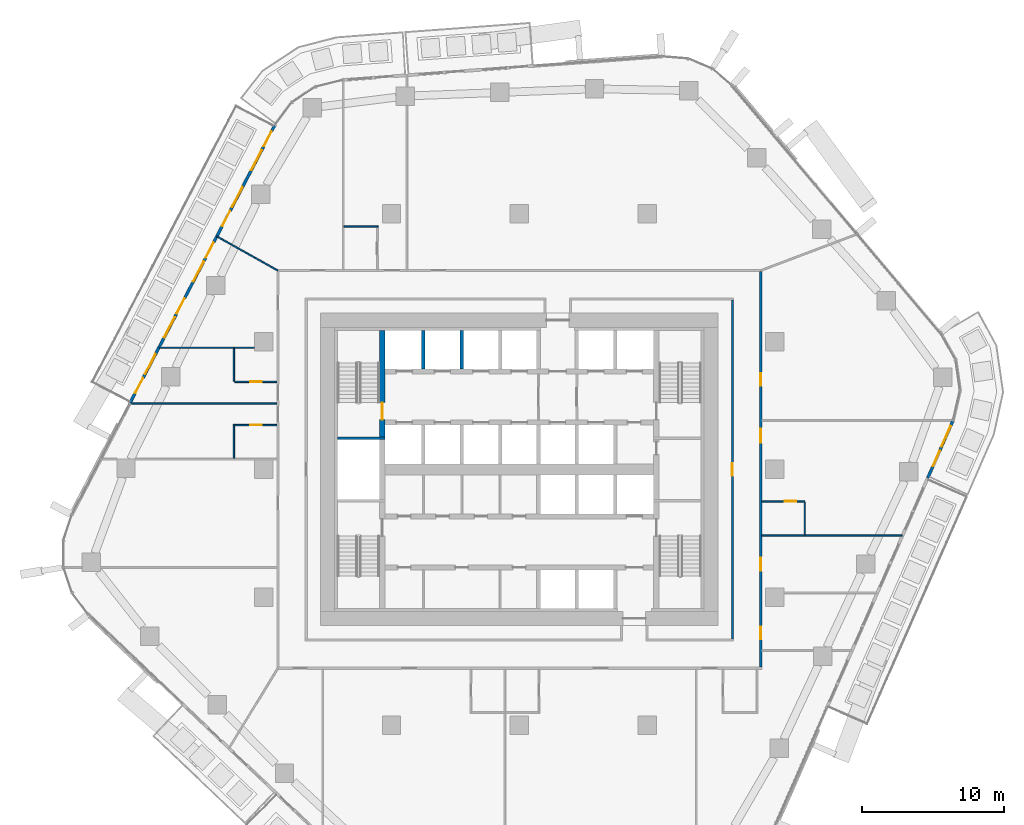
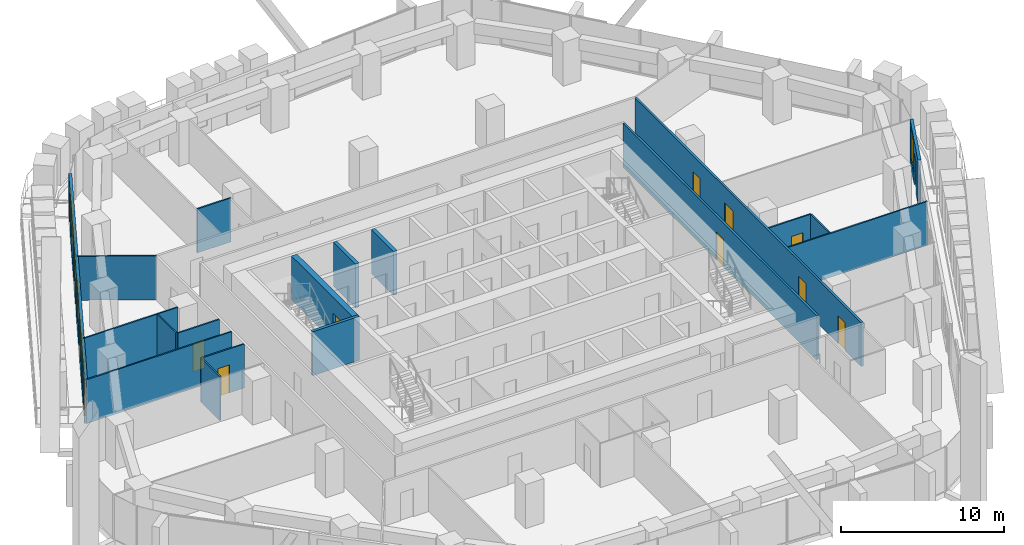
# One storey, part 14 of 24: 19 walls, 15 doors, 6 windows, 21 openings.
"""IFC4 building model written with IfcOpenShell, lengths in metres."""

from ifc_helpers import new_model, si_unit, direction, frame, frame_2d, origin, place, context, subcontext, project, spatial, rectangle, extrude, material, layer, layer_set, type_object, element, fill, save


model = new_model("IFC4")

# Units and contexts
model_context = context("Model", 3, precision=1e-05, world=origin(), true_north=direction((0.0, 1.0)))
body_context = subcontext(model_context, "Body", "Model", "MODEL_VIEW")
ifc_project = project(units=[si_unit("LENGTHUNIT", "METRE"), si_unit("AREAUNIT", "SQUARE_METRE"), si_unit("VOLUMEUNIT", "CUBIC_METRE"), si_unit("PLANEANGLEUNIT", "RADIAN"), si_unit("MASSUNIT", "GRAM", prefix="KILO")], contexts=[model_context])

# Site, building, storey
site_placement = place(None, origin())
site = spatial("IfcSite", under=ifc_project, at=site_placement, CompositionType="ELEMENT")
building_placement = place(site_placement, origin())
building = spatial("IfcBuilding", under=site, at=building_placement, Name="Dongbaek Canopy Tower", CompositionType="ELEMENT")
storey_placement = place(building_placement, frame((0.0, 0.0, 128.5)))
storey = spatial("IfcBuildingStorey", under=building, at=storey_placement, Name="L28", CompositionType="ELEMENT", Elevation=128.5)

# Wall, openings, doors
ifc_material_1 = material(Name="Gypsum board partition, steel stud, 2 x 15 mm fire board", Category="steel")
ifc_layer_1 = layer(ifc_material_1, 0.14990234375)
ifc_layer_set_1 = layer_set([ifc_layer_1], Name="Fire-rated partition 150 gypsum board")
wall_type_1 = type_object("IfcWallType", Name="Fire-rated partition 150 gypsum board", PredefinedType="PARTITIONING", material=ifc_layer_set_1)
wall_1_placement = place(storey_placement, frame((17.0, 13.925048828125, 0.0), z_axis=(0.0, 0.0, 1.0), x_axis=(0.0, -1.0, 0.0)))
wall_1 = element("IfcWall", 1, at=wall_1_placement, inside=storey, type_object=wall_type_1, Name="Corridor partition", PredefinedType="PARTITIONING", context=body_context, shape_type="SweptSolid", body=[
    extrude(rectangle(XDim=27.85009765625, YDim=0.14990234375, at=frame_2d((13.925048828125, 0.0))), origin(), (0.0, 0.0, 1.0), 3.300048828125),
])
opening_1_placement = place(wall_1_placement, frame((24.983154296875, 0.0, 0.0)))
opening_1 = element("IfcOpeningElement", 2, at=opening_1_placement, cuts=wall_1, Name="Opening L28-D009", PredefinedType="OPENING", context=body_context, shape_type="SweptSolid", body=[
    extrude(rectangle(XDim=0.89990234375, YDim=2.10009765625, at=frame_2d((0.449951171875, 1.050048828125))), frame((0.0, 0.0849609375, 0.0), z_axis=(0.0, -1.0, 0.0), x_axis=(1.0, 0.0, 0.0)), (0.0, 0.0, 1.0), 0.169921875),
])
opening_2_placement = place(wall_1_placement, frame((20.143310546875, 0.0, 0.0)))
opening_2 = element("IfcOpeningElement", 3, at=opening_2_placement, cuts=wall_1, Name="Opening L28-D010", PredefinedType="OPENING", context=body_context, shape_type="SweptSolid", body=[
    extrude(rectangle(XDim=0.89990234375, YDim=2.10009765625, at=frame_2d((0.449951171875, 1.050048828125))), frame((0.0, 0.0849609375, 0.0), z_axis=(0.0, -1.0, 0.0), x_axis=(1.0, 0.0, 0.0)), (0.0, 0.0, 1.0), 0.169921875),
])
opening_3_placement = place(wall_1_placement, frame((11.0537109375, 0.0, 0.0)))
opening_3 = element("IfcOpeningElement", 4, at=opening_3_placement, cuts=wall_1, Name="Opening L28-D012", PredefinedType="OPENING", context=body_context, shape_type="SweptSolid", body=[
    extrude(rectangle(XDim=1.0, YDim=2.10009765625, at=frame_2d((0.5, 1.050048828125))), frame((0.0, 0.0849609375, 0.0), z_axis=(0.0, -1.0, 0.0), x_axis=(1.0, 0.0, 0.0)), (0.0, 0.0, 1.0), 0.169921875),
])
opening_4_placement = place(wall_1_placement, frame((7.138671875, 0.0, 0.0)))
opening_4 = element("IfcOpeningElement", 5, at=opening_4_placement, cuts=wall_1, Name="Opening L28-D013", PredefinedType="OPENING", context=body_context, shape_type="SweptSolid", body=[
    extrude(rectangle(XDim=0.89990234375, YDim=2.10009765625, at=frame_2d((0.449951171875, 1.050048828125))), frame((0.0, 0.0849609375, 0.0), z_axis=(0.0, -1.0, 0.0), x_axis=(1.0, 0.0, 0.0)), (0.0, 0.0, 1.0), 0.169921875),
])
ifc_material_2 = material(Name="Timber veneered door leaf", Category="wood")
door_type_1 = type_object("IfcDoorType", Name="Guest room door 1000 x 2100", OperationType="SINGLE_SWING_LEFT", PredefinedType="DOOR", material=ifc_material_2)
door_1_placement = place(opening_3_placement, origin())
door_1 = element("IfcDoor", 6, at=door_1_placement, inside=storey, type_object=door_type_1, Name="Door L28-D012", OperationType="SINGLE_SWING_RIGHT", OverallHeight=2.10009765625, OverallWidth=1.0, PredefinedType="DOOR", context=body_context, shape_type="SweptSolid", body=[
    extrude(rectangle(XDim=1.0, YDim=2.10009765625, at=frame_2d((0.5, 1.050048828125))), frame((0.0, 0.02490234375, 0.0), z_axis=(0.0, -1.0, 0.0), x_axis=(1.0, 0.0, 0.0)), (0.0, 0.0, 1.0), 0.050048828125),
])
fill(opening_3, door_1)
ifc_material_3 = material(Name="Timber veneered door leaf", Category="wood")
door_type_2 = type_object("IfcDoorType", Name="Room door 900 x 2100", OperationType="SINGLE_SWING_LEFT", PredefinedType="DOOR", material=ifc_material_3)
door_2_placement = place(opening_1_placement, origin())
door_2 = element("IfcDoor", 7, at=door_2_placement, inside=storey, type_object=door_type_2, Name="Door L28-D009", OperationType="SINGLE_SWING_RIGHT", OverallHeight=2.10009765625, OverallWidth=0.89990234375, PredefinedType="DOOR", context=body_context, shape_type="SweptSolid", body=[
    extrude(rectangle(XDim=0.89990234375, YDim=2.10009765625, at=frame_2d((0.449951171875, 1.050048828125))), frame((0.0, 0.02490234375, 0.0), z_axis=(0.0, -1.0, 0.0), x_axis=(1.0, 0.0, 0.0)), (0.0, 0.0, 1.0), 0.050048828125),
])
fill(opening_1, door_2)
door_3_placement = place(opening_2_placement, origin())
door_3 = element("IfcDoor", 8, at=door_3_placement, inside=storey, type_object=door_type_2, Name="Door L28-D010", OperationType="SINGLE_SWING_LEFT", OverallHeight=2.10009765625, OverallWidth=0.89990234375, PredefinedType="DOOR", context=body_context, shape_type="SweptSolid", body=[
    extrude(rectangle(XDim=0.89990234375, YDim=2.10009765625, at=frame_2d((0.449951171875, 1.050048828125))), frame((0.0, 0.02490234375, 0.0), z_axis=(0.0, -1.0, 0.0), x_axis=(1.0, 0.0, 0.0)), (0.0, 0.0, 1.0), 0.050048828125),
])
fill(opening_2, door_3)
door_4_placement = place(opening_4_placement, origin())
door_4 = element("IfcDoor", 9, at=door_4_placement, inside=storey, type_object=door_type_2, Name="Door L28-D013", OperationType="SINGLE_SWING_LEFT", OverallHeight=2.10009765625, OverallWidth=0.89990234375, PredefinedType="DOOR", context=body_context, shape_type="SweptSolid", body=[
    extrude(rectangle(XDim=0.89990234375, YDim=2.10009765625, at=frame_2d((0.449951171875, 1.050048828125))), frame((0.0, 0.02490234375, 0.0), z_axis=(0.0, -1.0, 0.0), x_axis=(1.0, 0.0, 0.0)), (0.0, 0.0, 1.0), 0.050048828125),
])
fill(opening_4, door_4)

# Wall, opening, door
wall_2_placement = place(storey_placement, frame((15.0, -11.925048828125, 0.0), z_axis=(0.0, 0.0, 1.0), x_axis=(0.0, 1.0, 0.0)))
wall_2 = element("IfcWall", 10, at=wall_2_placement, inside=storey, type_object=wall_type_1, Name="Corridor partition", PredefinedType="PARTITIONING", context=body_context, shape_type="SweptSolid", body=[
    extrude(rectangle(XDim=23.85009765625, YDim=0.14990234375, at=frame_2d((11.925048828125, 0.0))), origin(), (0.0, 0.0, 1.0), 3.300048828125),
])
opening_5_placement = place(wall_2_placement, frame((11.47509765625, 0.0, 0.0)))
opening_5 = element("IfcOpeningElement", 11, at=opening_5_placement, cuts=wall_2, Name="Opening L28-D024", PredefinedType="OPENING", context=body_context, shape_type="SweptSolid", body=[
    extrude(rectangle(XDim=0.89990234375, YDim=2.10009765625, at=frame_2d((0.449951171875, 1.050048828125))), frame((0.0, 0.0849609375, 0.0), z_axis=(0.0, -1.0, 0.0), x_axis=(1.0, 0.0, 0.0)), (0.0, 0.0, 1.0), 0.169921875),
])
door_5_placement = place(opening_5_placement, origin())
door_5 = element("IfcDoor", 12, at=door_5_placement, inside=storey, type_object=door_type_2, Name="Door L28-D024", OperationType="SINGLE_SWING_LEFT", OverallHeight=2.10009765625, OverallWidth=0.89990234375, PredefinedType="DOOR", context=body_context, shape_type="SweptSolid", body=[
    extrude(rectangle(XDim=0.89990234375, YDim=2.10009765625, at=frame_2d((0.449951171875, 1.050048828125))), frame((0.0, 0.02490234375, 0.0), z_axis=(0.0, -1.0, 0.0), x_axis=(1.0, 0.0, 0.0)), (0.0, 0.0, 1.0), 0.050048828125),
])
fill(opening_5, door_5)

# Walls
ifc_material_4 = material(Name="Concrete C40/50", Category="concrete")
ifc_layer_2 = layer(ifc_material_4, 0.25)
ifc_layer_set_2 = layer_set([ifc_layer_2], Name="Lift shaft wall 250 Concrete C40/50")
wall_type_2 = type_object("IfcWallType", Name="Lift shaft wall 250 Concrete C40/50", PredefinedType="SOLIDWALL", material=ifc_layer_set_2)
for number, where, z_axis, x_axis, name in (
    (13, (-4.050048828125, 7.074951171875, 0.0), (0.0, 0.0, 1.0), (0.0, 1.0, 0.0), "Lift shaft wall"),
    (14, (-6.75, 7.074951171875, 0.0), (0.0, 0.0, 1.0), (0.0, 1.0, 0.0), "Lift shaft wall"),
):
    element("IfcWall", number, at=place(storey_placement, frame(where, z_axis=z_axis, x_axis=x_axis)), inside=storey, type_object=wall_type_2, Name=name, PredefinedType="SOLIDWALL", context=body_context, shape_type="SweptSolid", body=[
        extrude(rectangle(XDim=2.72509765625, YDim=0.25, at=frame_2d((1.362548828125, 0.0))), origin(), (0.0, 0.0, 1.0), 3.300048828125),
    ])
ifc_material_5 = material(Name="Gypsum board partition, steel stud, 2 x 12.5 mm board", Category="steel")
ifc_layer_3 = layer(ifc_material_5, 0.10009765625)
ifc_layer_set_3 = layer_set([ifc_layer_3], Name="Partition 100 gypsum board")
wall_type_3 = type_object("IfcWallType", Name="Partition 100 gypsum board", PredefinedType="PARTITIONING", material=ifc_layer_set_3)
wall_3_placement = place(storey_placement, frame((17.074951171875, -4.64501953125, 0.0), z_axis=(0.0, 0.0, 1.0), x_axis=(1.0, 0.0, 0.0)))
element("IfcWall", 15, at=wall_3_placement, inside=storey, type_object=wall_type_3, Name="Partition", PredefinedType="PARTITIONING", context=body_context, shape_type="SweptSolid", body=[
    extrude(rectangle(XDim=9.885498046875, YDim=0.10009765625, at=frame_2d((4.94287109375, 0.0))), origin(), (0.0, 0.0, 1.0), 3.300048828125),
])

# Wall, opening, door
wall_4_placement = place(storey_placement, frame((20.10009765625, -2.2451171875, 0.0), z_axis=(0.0, 0.0, 1.0), x_axis=(-1.0, 0.0, 0.0)))
wall_4 = element("IfcWall", 16, at=wall_4_placement, inside=storey, type_object=wall_type_3, Name="Partition", PredefinedType="PARTITIONING", context=body_context, shape_type="SweptSolid", body=[
    extrude(rectangle(XDim=3.025146484375, YDim=0.10009765625, at=frame_2d((1.5126953125, 0.0))), origin(), (0.0, 0.0, 1.0), 3.300048828125),
])
opening_6_placement = place(wall_4_placement, frame((0.610107421875, 0.0, 0.0)))
opening_6 = element("IfcOpeningElement", 17, at=opening_6_placement, cuts=wall_4, Name="Opening L28-D011", PredefinedType="OPENING", context=body_context, shape_type="SweptSolid", body=[
    extrude(rectangle(XDim=0.800048828125, YDim=2.10009765625, at=frame_2d((0.39990234375, 1.050048828125))), frame((0.0, 0.06005859375, 0.0), z_axis=(0.0, -1.0, 0.0), x_axis=(1.0, 0.0, 0.0)), (0.0, 0.0, 1.0), 0.1201171875),
])
ifc_material_6 = material(Name="Timber veneered door leaf", Category="wood")
door_type_3 = type_object("IfcDoorType", Name="En-suite door 800 x 2100", OperationType="SINGLE_SWING_LEFT", PredefinedType="DOOR", material=ifc_material_6)
door_6_placement = place(opening_6_placement, origin())
door_6 = element("IfcDoor", 18, at=door_6_placement, inside=storey, type_object=door_type_3, Name="Door L28-D011", OperationType="SINGLE_SWING_LEFT", OverallHeight=2.10009765625, OverallWidth=0.800048828125, PredefinedType="DOOR", context=body_context, shape_type="SweptSolid", body=[
    extrude(rectangle(XDim=0.800048828125, YDim=2.10009765625, at=frame_2d((0.39990234375, 1.050048828125))), frame((0.0, 0.02490234375, 0.0), z_axis=(0.0, -1.0, 0.0), x_axis=(1.0, 0.0, 0.0)), (0.0, 0.0, 1.0), 0.050048828125),
])
fill(opening_6, door_6)

wall_5_placement = place(storey_placement, frame((-17.074951171875, 3.123046875, 0.0), z_axis=(0.0, 0.0, 1.0), x_axis=(-1.0, 0.0, 0.0)))
wall_5 = element("IfcWall", 19, at=wall_5_placement, inside=storey, type_object=wall_type_3, Name="Partition", PredefinedType="PARTITIONING", context=body_context, shape_type="SweptSolid", body=[
    extrude(rectangle(XDim=3.074951171875, YDim=0.10009765625, at=frame_2d((1.53759765625, 0.0))), origin(), (0.0, 0.0, 1.0), 3.300048828125),
])
opening_7_placement = place(wall_5_placement, frame((1.074951171875, 0.0, 0.0)))
opening_7 = element("IfcOpeningElement", 20, at=opening_7_placement, cuts=wall_5, Name="Opening L28-D021", PredefinedType="OPENING", context=body_context, shape_type="SweptSolid", body=[
    extrude(rectangle(XDim=0.800048828125, YDim=2.10009765625, at=frame_2d((0.39990234375, 1.050048828125))), frame((0.0, 0.06005859375, 0.0), z_axis=(0.0, -1.0, 0.0), x_axis=(1.0, 0.0, 0.0)), (0.0, 0.0, 1.0), 0.1201171875),
])
door_7_placement = place(opening_7_placement, origin())
door_7 = element("IfcDoor", 21, at=door_7_placement, inside=storey, type_object=door_type_3, Name="Door L28-D021", OperationType="SINGLE_SWING_RIGHT", OverallHeight=2.10009765625, OverallWidth=0.800048828125, PredefinedType="DOOR", context=body_context, shape_type="SweptSolid", body=[
    extrude(rectangle(XDim=0.800048828125, YDim=2.10009765625, at=frame_2d((0.39990234375, 1.050048828125))), frame((0.0, 0.02490234375, 0.0), z_axis=(0.0, -1.0, 0.0), x_axis=(1.0, 0.0, 0.0)), (0.0, 0.0, 1.0), 0.050048828125),
])
fill(opening_7, door_7)

# Wall
wall_6_placement = place(storey_placement, frame((-27.40185546875, 4.64697265625, 0.0), z_axis=(0.0, 0.0, 1.0), x_axis=(1.0, 0.0, 0.0)))
element("IfcWall", 22, at=wall_6_placement, inside=storey, type_object=wall_type_3, Name="Partition", PredefinedType="PARTITIONING", context=body_context, shape_type="SweptSolid", body=[
    extrude(rectangle(XDim=10.326904296875, YDim=0.10009765625, at=frame_2d((5.16357421875, 0.0))), origin(), (0.0, 0.0, 1.0), 3.300048828125),
])

# Wall, opening, door
wall_7_placement = place(storey_placement, frame((-20.050048828125, 6.169921875, 0.0), z_axis=(0.0, 0.0, 1.0), x_axis=(1.0, 0.0, 0.0)))
wall_7 = element("IfcWall", 23, at=wall_7_placement, inside=storey, type_object=wall_type_3, Name="Partition", PredefinedType="PARTITIONING", context=body_context, shape_type="SweptSolid", body=[
    extrude(rectangle(XDim=2.97509765625, YDim=0.10009765625, at=frame_2d((1.487548828125, 0.0))), origin(), (0.0, 0.0, 1.0), 3.300048828125),
])
opening_8_placement = place(wall_7_placement, frame((1.10009765625, 0.0, 0.0)))
opening_8 = element("IfcOpeningElement", 24, at=opening_8_placement, cuts=wall_7, Name="Opening L28-D019", PredefinedType="OPENING", context=body_context, shape_type="SweptSolid", body=[
    extrude(rectangle(XDim=0.800048828125, YDim=2.10009765625, at=frame_2d((0.39990234375, 1.050048828125))), frame((0.0, 0.06005859375, 0.0), z_axis=(0.0, -1.0, 0.0), x_axis=(1.0, 0.0, 0.0)), (0.0, 0.0, 1.0), 0.1201171875),
])
door_8_placement = place(opening_8_placement, origin())
door_8 = element("IfcDoor", 25, at=door_8_placement, inside=storey, type_object=door_type_3, Name="Door L28-D019", OperationType="SINGLE_SWING_LEFT", OverallHeight=2.10009765625, OverallWidth=0.800048828125, PredefinedType="DOOR", context=body_context, shape_type="SweptSolid", body=[
    extrude(rectangle(XDim=0.800048828125, YDim=2.10009765625, at=frame_2d((0.39990234375, 1.050048828125))), frame((0.0, 0.02490234375, 0.0), z_axis=(0.0, -1.0, 0.0), x_axis=(1.0, 0.0, 0.0)), (0.0, 0.0, 1.0), 0.050048828125),
])
fill(opening_8, door_8)

# Walls
wall_8_placement = place(storey_placement, frame((-25.35888671875, 8.570068359375, 0.0), z_axis=(0.0, 0.0, 1.0), x_axis=(1.0, 0.0, 0.0)))
element("IfcWall", 26, at=wall_8_placement, inside=storey, type_object=wall_type_3, Name="Partition", PredefinedType="PARTITIONING", context=body_context, shape_type="SweptSolid", body=[
    extrude(rectangle(XDim=6.708984375, YDim=0.10009765625, at=frame_2d((3.3544921875, 0.0))), origin(), (0.0, 0.0, 1.0), 3.300048828125),
])
wall_9_placement = place(storey_placement, frame((-12.3486328125, 17.10009765625, 0.0), z_axis=(0.0, 0.0, 1.0), x_axis=(1.0, 0.0, 0.0)))
element("IfcWall", 27, at=wall_9_placement, inside=storey, type_object=wall_type_3, Name="Partition", PredefinedType="PARTITIONING", context=body_context, shape_type="SweptSolid", body=[
    extrude(rectangle(XDim=2.400146484375, YDim=0.10009765625, at=frame_2d((1.2001953125, 0.0))), origin(), (0.0, 0.0, 1.0), 3.300048828125),
])
wall_10_placement = place(storey_placement, frame((20.10009765625, -4.594970703125, 0.0), z_axis=(0.0, 0.0, 1.0), x_axis=(0.0, 1.0, 0.0)))
element("IfcWall", 28, at=wall_10_placement, inside=storey, type_object=wall_type_3, Name="Partition", PredefinedType="PARTITIONING", context=body_context, shape_type="SweptSolid", body=[
    extrude(rectangle(XDim=2.2998046875, YDim=0.10009765625, at=frame_2d((1.14990234375, 0.0))), origin(), (0.0, 0.0, 1.0), 3.300048828125),
])
for number, where, z_axis, x_axis, name in (
    (29, (-20.10009765625, 0.77294921875, 0.0), (0.0, 0.0, 1.0), (0.0, 1.0, 0.0), "Partition"),
    (30, (-20.10009765625, 6.219482421875, 0.0), (0.0, 0.0, 1.0), (0.0, 1.0, 0.0), "Partition"),
):
    element("IfcWall", number, at=place(storey_placement, frame(where, z_axis=z_axis, x_axis=x_axis)), inside=storey, type_object=wall_type_3, Name=name, PredefinedType="PARTITIONING", context=body_context, shape_type="SweptSolid", body=[
        extrude(rectangle(XDim=2.300048828125, YDim=0.10009765625, at=frame_2d((1.14990234375, 0.0))), origin(), (0.0, 0.0, 1.0), 3.300048828125),
    ])
wall_11_placement = place(storey_placement, frame((-21.278564453125, 16.404541015625, 0.0), z_axis=(0.0, 0.0, 1.0), x_axis=(0.871729599924, -0.489987249443, 0.0)))
element("IfcWall", 31, at=wall_11_placement, inside=storey, type_object=wall_type_3, Name="Partition", PredefinedType="PARTITIONING", context=body_context, shape_type="SweptSolid", body=[
    extrude(rectangle(XDim=4.907958984375, YDim=0.10009765625, at=frame_2d((2.4541015625, 0.0))), origin(), (0.0, 0.0, 1.0), 3.300048828125),
])
ifc_material_7 = material(Name="Concrete C60/75", Category="concrete")
ifc_layer_4 = layer(ifc_material_7, 0.199951171875)
ifc_layer_set_4 = layer_set([ifc_layer_4], Name="Riser wall 200 Concrete C60/75")
wall_type_4 = type_object("IfcWallType", Name="Riser wall 200 Concrete C60/75", PredefinedType="SHEAR", material=ifc_layer_set_4)
wall_12_placement = place(storey_placement, frame((-9.449951171875, 2.199951171875, 0.0), z_axis=(0.0, 0.0, 1.0), x_axis=(-1.0, 0.0, 0.0)))
element("IfcWall", 32, at=wall_12_placement, inside=storey, type_object=wall_type_4, Name="Riser wall", PredefinedType="SHEAR", context=body_context, shape_type="SweptSolid", body=[
    extrude(rectangle(XDim=3.35009765625, YDim=0.199951171875, at=frame_2d((1.675048828125, 0.0))), origin(), (0.0, 0.0, 1.0), 3.300048828125),
])

# Wall, opening, door
ifc_material_8 = material(Name="Concrete C60/75", Category="concrete")
ifc_layer_5 = layer(ifc_material_8, 0.39990234375)
ifc_layer_set_5 = layer_set([ifc_layer_5], Name="Stair wall 400 Concrete C60/75")
wall_type_5 = type_object("IfcWallType", Name="Stair wall 400 Concrete C60/75", PredefinedType="SHEAR", material=ifc_layer_set_5)
wall_13_placement = place(storey_placement, frame((-9.64990234375, 2.300048828125, 0.0), z_axis=(0.0, 0.0, 1.0), x_axis=(0.0, 1.0, 0.0)))
wall_13 = element("IfcWall", 33, at=wall_13_placement, inside=storey, type_object=wall_type_5, Name="Stair wall", PredefinedType="SHEAR", context=body_context, shape_type="SweptSolid", body=[
    extrude(rectangle(XDim=7.5, YDim=0.39990234375, at=frame_2d((3.75, 0.0))), origin(), (0.0, 0.0, 1.0), 3.300048828125),
])
opening_9_placement = place(wall_13_placement, frame((1.199951171875, 0.0, 0.0)))
opening_9 = element("IfcOpeningElement", 34, at=opening_9_placement, cuts=wall_13, Name="Opening L28-D052", PredefinedType="OPENING", context=body_context, shape_type="SweptSolid", body=[
    extrude(rectangle(XDim=1.199951171875, YDim=2.10009765625, at=frame_2d((0.60009765625, 1.050048828125))), frame((0.0, 0.2099609375, 0.0), z_axis=(0.0, -1.0, 0.0), x_axis=(1.0, 0.0, 0.0)), (0.0, 0.0, 1.0), 0.419921875),
])
ifc_material_9 = material(Name="Steel", Category="steel")
door_type_4 = type_object("IfcDoorType", Name="Stair door 1200 x 2100", OperationType="SINGLE_SWING_LEFT", PredefinedType="DOOR", material=ifc_material_9)
door_9_placement = place(opening_9_placement, origin())
door_9 = element("IfcDoor", 35, at=door_9_placement, inside=storey, type_object=door_type_4, Name="Stair C door", OperationType="SINGLE_SWING_RIGHT", OverallHeight=2.10009765625, OverallWidth=1.199951171875, PredefinedType="DOOR", context=body_context, shape_type="SweptSolid", body=[
    extrude(rectangle(XDim=1.199951171875, YDim=2.10009765625, at=frame_2d((0.60009765625, 1.050048828125))), frame((0.0, 0.02490234375, 0.0), z_axis=(0.0, -1.0, 0.0), x_axis=(1.0, 0.0, 0.0)), (0.0, 0.0, 1.0), 0.050048828125),
])
fill(opening_9, door_9)

# Wall, openings, doors, windows
ifc_material_10 = material(Name="Aluminium window wall", Category="aluminium")
ifc_layer_6 = layer(ifc_material_10, 0.199951171875)
ifc_layer_set_6 = layer_set([ifc_layer_6], Name="Window wall 200")
wall_type_6 = type_object("IfcWallType", Name="Window wall 200", PredefinedType="SOLIDWALL", material=ifc_layer_set_6)
wall_14_placement = place(storey_placement, frame((-17.210205078125, 24.259765625, 0.0), z_axis=(0.0, 0.0, 1.0), x_axis=(-0.461902936619, -0.886930480445, 0.0)))
wall_14 = element("IfcWall", 36, at=wall_14_placement, inside=storey, type_object=wall_type_6, Name="Window wall L28 2", PredefinedType="SOLIDWALL", context=body_context, shape_type="SweptSolid", body=[
    extrude(rectangle(XDim=22.113037109375, YDim=0.199951171875, at=frame_2d((11.056640625, 0.0))), origin(), (0.0, 0.0, 1.0), 3.300048828125),
])
opening_10_placement = place(wall_14_placement, frame((2.0, 0.0, 0.60009765625)))
opening_10 = element("IfcOpeningElement", 37, at=opening_10_placement, cuts=wall_14, Name="Opening W1", PredefinedType="OPENING", context=body_context, shape_type="SweptSolid", body=[
    extrude(rectangle(XDim=1.60009765625, YDim=2.39990234375, at=frame_2d((0.800048828125, 1.199951171875))), frame((0.0, 0.10986328125, 0.0), z_axis=(0.0, -1.0, 0.0), x_axis=(1.0, 0.0, 0.0)), (0.0, 0.0, 1.0), 0.219970703125),
])
opening_11_placement = place(wall_14_placement, frame((0.5, 0.0, 0.0)))
opening_11 = element("IfcOpeningElement", 38, at=opening_11_placement, cuts=wall_14, Name="Opening L28-B04", PredefinedType="OPENING", context=body_context, shape_type="SweptSolid", body=[
    extrude(rectangle(XDim=1.199951171875, YDim=2.39990234375, at=frame_2d((0.60009765625, 1.199951171875))), frame((0.0, 0.10986328125, 0.0), z_axis=(0.0, -1.0, 0.0), x_axis=(1.0, 0.0, 0.0)), (0.0, 0.0, 1.0), 0.219970703125),
])
opening_12_placement = place(wall_14_placement, frame((4.922607421875, 0.0, 0.60009765625)))
opening_12 = element("IfcOpeningElement", 39, at=opening_12_placement, cuts=wall_14, Name="Opening W1", PredefinedType="OPENING", context=body_context, shape_type="SweptSolid", body=[
    extrude(rectangle(XDim=1.60009765625, YDim=2.39990234375, at=frame_2d((0.800048828125, 1.199951171875))), frame((0.0, 0.10986328125, 0.0), z_axis=(0.0, -1.0, 0.0), x_axis=(1.0, 0.0, 0.0)), (0.0, 0.0, 1.0), 0.219970703125),
])
opening_13_placement = place(wall_14_placement, frame((6.822509765625, 0.0, 0.0)))
opening_13 = element("IfcOpeningElement", 40, at=opening_13_placement, cuts=wall_14, Name="Opening L28-B05", PredefinedType="OPENING", context=body_context, shape_type="SweptSolid", body=[
    extrude(rectangle(XDim=1.199951171875, YDim=2.39990234375, at=frame_2d((0.60009765625, 1.199951171875))), frame((0.0, 0.10986328125, 0.0), z_axis=(0.0, -1.0, 0.0), x_axis=(1.0, 0.0, 0.0)), (0.0, 0.0, 1.0), 0.219970703125),
])
opening_14_placement = place(wall_14_placement, frame((10.84521484375, 0.0, 0.60009765625)))
opening_14 = element("IfcOpeningElement", 41, at=opening_14_placement, cuts=wall_14, Name="Opening W1", PredefinedType="OPENING", context=body_context, shape_type="SweptSolid", body=[
    extrude(rectangle(XDim=1.60009765625, YDim=2.39990234375, at=frame_2d((0.800048828125, 1.199951171875))), frame((0.0, 0.10986328125, 0.0), z_axis=(0.0, -1.0, 0.0), x_axis=(1.0, 0.0, 0.0)), (0.0, 0.0, 1.0), 0.219970703125),
])
opening_15_placement = place(wall_14_placement, frame((9.34521484375, 0.0, 0.0)))
opening_15 = element("IfcOpeningElement", 42, at=opening_15_placement, cuts=wall_14, Name="Opening L28-B06", PredefinedType="OPENING", context=body_context, shape_type="SweptSolid", body=[
    extrude(rectangle(XDim=1.199951171875, YDim=2.39990234375, at=frame_2d((0.60009765625, 1.199951171875))), frame((0.0, 0.10986328125, 0.0), z_axis=(0.0, -1.0, 0.0), x_axis=(1.0, 0.0, 0.0)), (0.0, 0.0, 1.0), 0.219970703125),
])
opening_16_placement = place(wall_14_placement, frame((15.267822265625, 0.0, 0.60009765625)))
opening_16 = element("IfcOpeningElement", 43, at=opening_16_placement, cuts=wall_14, Name="Opening W1", PredefinedType="OPENING", context=body_context, shape_type="SweptSolid", body=[
    extrude(rectangle(XDim=1.60009765625, YDim=2.39990234375, at=frame_2d((0.800048828125, 1.199951171875))), frame((0.0, 0.10986328125, 0.0), z_axis=(0.0, -1.0, 0.0), x_axis=(1.0, 0.0, 0.0)), (0.0, 0.0, 1.0), 0.219970703125),
])
opening_17_placement = place(wall_14_placement, frame((13.767822265625, 0.0, 0.0)))
opening_17 = element("IfcOpeningElement", 44, at=opening_17_placement, cuts=wall_14, Name="Opening L28-B07", PredefinedType="OPENING", context=body_context, shape_type="SweptSolid", body=[
    extrude(rectangle(XDim=1.199951171875, YDim=2.39990234375, at=frame_2d((0.60009765625, 1.199951171875))), frame((0.0, 0.10986328125, 0.0), z_axis=(0.0, -1.0, 0.0), x_axis=(1.0, 0.0, 0.0)), (0.0, 0.0, 1.0), 0.219970703125),
])
opening_18_placement = place(wall_14_placement, frame((18.1904296875, 0.0, 0.60009765625)))
opening_18 = element("IfcOpeningElement", 45, at=opening_18_placement, cuts=wall_14, Name="Opening W1", PredefinedType="OPENING", context=body_context, shape_type="SweptSolid", body=[
    extrude(rectangle(XDim=1.60009765625, YDim=2.39990234375, at=frame_2d((0.800048828125, 1.199951171875))), frame((0.0, 0.10986328125, 0.0), z_axis=(0.0, -1.0, 0.0), x_axis=(1.0, 0.0, 0.0)), (0.0, 0.0, 1.0), 0.219970703125),
])
opening_19_placement = place(wall_14_placement, frame((20.09033203125, 0.0, 0.0)))
opening_19 = element("IfcOpeningElement", 46, at=opening_19_placement, cuts=wall_14, Name="Opening L28-B08", PredefinedType="OPENING", context=body_context, shape_type="SweptSolid", body=[
    extrude(rectangle(XDim=1.199951171875, YDim=2.39990234375, at=frame_2d((0.60009765625, 1.199951171875))), frame((0.0, 0.10986328125, 0.0), z_axis=(0.0, -1.0, 0.0), x_axis=(1.0, 0.0, 0.0)), (0.0, 0.0, 1.0), 0.219970703125),
])
ifc_material_11 = material(Name="Clear glazing in aluminium frame", Category="aluminium")
door_type_5 = type_object("IfcDoorType", Name="Balcony door BD1 1200 x 2400", OperationType="SLIDING_TO_LEFT", PredefinedType="DOOR", material=ifc_material_11)
door_10_placement = place(opening_11_placement, origin())
door_10 = element("IfcDoor", 47, at=door_10_placement, inside=storey, type_object=door_type_5, Name="Balcony door L28-B04", OperationType="SLIDING_TO_LEFT", OverallHeight=2.39990234375, OverallWidth=1.199951171875, PredefinedType="DOOR", context=body_context, shape_type="SweptSolid", body=[
    extrude(rectangle(XDim=1.199951171875, YDim=2.39990234375, at=frame_2d((0.60009765625, 1.199951171875))), frame((0.0, 0.02490234375, 0.0), z_axis=(0.0, -1.0, 0.0), x_axis=(1.0, 0.0, 0.0)), (0.0, 0.0, 1.0), 0.050048828125),
])
fill(opening_11, door_10)
door_11_placement = place(opening_13_placement, origin())
door_11 = element("IfcDoor", 48, at=door_11_placement, inside=storey, type_object=door_type_5, Name="Balcony door L28-B05", OperationType="SLIDING_TO_LEFT", OverallHeight=2.39990234375, OverallWidth=1.199951171875, PredefinedType="DOOR", context=body_context, shape_type="SweptSolid", body=[
    extrude(rectangle(XDim=1.199951171875, YDim=2.39990234375, at=frame_2d((0.60009765625, 1.199951171875))), frame((0.0, 0.02490234375, 0.0), z_axis=(0.0, -1.0, 0.0), x_axis=(1.0, 0.0, 0.0)), (0.0, 0.0, 1.0), 0.050048828125),
])
fill(opening_13, door_11)
door_12_placement = place(opening_15_placement, origin())
door_12 = element("IfcDoor", 49, at=door_12_placement, inside=storey, type_object=door_type_5, Name="Balcony door L28-B06", OperationType="SLIDING_TO_LEFT", OverallHeight=2.39990234375, OverallWidth=1.199951171875, PredefinedType="DOOR", context=body_context, shape_type="SweptSolid", body=[
    extrude(rectangle(XDim=1.199951171875, YDim=2.39990234375, at=frame_2d((0.60009765625, 1.199951171875))), frame((0.0, 0.02490234375, 0.0), z_axis=(0.0, -1.0, 0.0), x_axis=(1.0, 0.0, 0.0)), (0.0, 0.0, 1.0), 0.050048828125),
])
fill(opening_15, door_12)
door_13_placement = place(opening_17_placement, origin())
door_13 = element("IfcDoor", 50, at=door_13_placement, inside=storey, type_object=door_type_5, Name="Balcony door L28-B07", OperationType="SLIDING_TO_LEFT", OverallHeight=2.39990234375, OverallWidth=1.199951171875, PredefinedType="DOOR", context=body_context, shape_type="SweptSolid", body=[
    extrude(rectangle(XDim=1.199951171875, YDim=2.39990234375, at=frame_2d((0.60009765625, 1.199951171875))), frame((0.0, 0.02490234375, 0.0), z_axis=(0.0, -1.0, 0.0), x_axis=(1.0, 0.0, 0.0)), (0.0, 0.0, 1.0), 0.050048828125),
])
fill(opening_17, door_13)
door_14_placement = place(opening_19_placement, origin())
door_14 = element("IfcDoor", 51, at=door_14_placement, inside=storey, type_object=door_type_5, Name="Balcony door L28-B08", OperationType="SLIDING_TO_LEFT", OverallHeight=2.39990234375, OverallWidth=1.199951171875, PredefinedType="DOOR", context=body_context, shape_type="SweptSolid", body=[
    extrude(rectangle(XDim=1.199951171875, YDim=2.39990234375, at=frame_2d((0.60009765625, 1.199951171875))), frame((0.0, 0.02490234375, 0.0), z_axis=(0.0, -1.0, 0.0), x_axis=(1.0, 0.0, 0.0)), (0.0, 0.0, 1.0), 0.050048828125),
])
fill(opening_19, door_14)
ifc_material_12 = material(Name="Clear glazing in aluminium frame", Category="aluminium")
window_type = type_object("IfcWindowType", Name="Window W1 1600 x 2400", PartitioningType="SINGLE_PANEL", PredefinedType="WINDOW", material=ifc_material_12)
window_1_placement = place(opening_10_placement, origin())
window_1 = element("IfcWindow", 52, at=window_1_placement, inside=storey, type_object=window_type, Name="Window L28 2.1", OverallHeight=2.39990234375, OverallWidth=1.60009765625, PartitioningType="SINGLE_PANEL", PredefinedType="WINDOW", context=body_context, shape_type="SweptSolid", body=[
    extrude(rectangle(XDim=1.60009765625, YDim=2.39990234375, at=frame_2d((0.800048828125, 1.199951171875))), frame((0.0, 0.030029296875, 0.0), z_axis=(0.0, -1.0, 0.0), x_axis=(1.0, 0.0, 0.0)), (0.0, 0.0, 1.0), 0.06005859375),
])
fill(opening_10, window_1)
window_2_placement = place(opening_12_placement, origin())
window_2 = element("IfcWindow", 53, at=window_2_placement, inside=storey, type_object=window_type, Name="Window L28 2.2", OverallHeight=2.39990234375, OverallWidth=1.60009765625, PartitioningType="SINGLE_PANEL", PredefinedType="WINDOW", context=body_context, shape_type="SweptSolid", body=[
    extrude(rectangle(XDim=1.60009765625, YDim=2.39990234375, at=frame_2d((0.800048828125, 1.199951171875))), frame((0.0, 0.030029296875, 0.0), z_axis=(0.0, -1.0, 0.0), x_axis=(1.0, 0.0, 0.0)), (0.0, 0.0, 1.0), 0.06005859375),
])
fill(opening_12, window_2)
window_3_placement = place(opening_14_placement, origin())
window_3 = element("IfcWindow", 54, at=window_3_placement, inside=storey, type_object=window_type, Name="Window L28 2.3", OverallHeight=2.39990234375, OverallWidth=1.60009765625, PartitioningType="SINGLE_PANEL", PredefinedType="WINDOW", context=body_context, shape_type="SweptSolid", body=[
    extrude(rectangle(XDim=1.60009765625, YDim=2.39990234375, at=frame_2d((0.800048828125, 1.199951171875))), frame((0.0, 0.030029296875, 0.0), z_axis=(0.0, -1.0, 0.0), x_axis=(1.0, 0.0, 0.0)), (0.0, 0.0, 1.0), 0.06005859375),
])
fill(opening_14, window_3)
window_4_placement = place(opening_16_placement, origin())
window_4 = element("IfcWindow", 55, at=window_4_placement, inside=storey, type_object=window_type, Name="Window L28 2.4", OverallHeight=2.39990234375, OverallWidth=1.60009765625, PartitioningType="SINGLE_PANEL", PredefinedType="WINDOW", context=body_context, shape_type="SweptSolid", body=[
    extrude(rectangle(XDim=1.60009765625, YDim=2.39990234375, at=frame_2d((0.800048828125, 1.199951171875))), frame((0.0, 0.030029296875, 0.0), z_axis=(0.0, -1.0, 0.0), x_axis=(1.0, 0.0, 0.0)), (0.0, 0.0, 1.0), 0.06005859375),
])
fill(opening_16, window_4)
window_5_placement = place(opening_18_placement, origin())
window_5 = element("IfcWindow", 56, at=window_5_placement, inside=storey, type_object=window_type, Name="Window L28 2.5", OverallHeight=2.39990234375, OverallWidth=1.60009765625, PartitioningType="SINGLE_PANEL", PredefinedType="WINDOW", context=body_context, shape_type="SweptSolid", body=[
    extrude(rectangle(XDim=1.60009765625, YDim=2.39990234375, at=frame_2d((0.800048828125, 1.199951171875))), frame((0.0, 0.030029296875, 0.0), z_axis=(0.0, -1.0, 0.0), x_axis=(1.0, 0.0, 0.0)), (0.0, 0.0, 1.0), 0.06005859375),
])
fill(opening_18, window_5)

# Wall, openings, door, window
wall_15_placement = place(storey_placement, frame((28.759521484375, -0.59912109375, 0.0), z_axis=(0.0, 0.0, 1.0), x_axis=(0.402194955318, 0.915554049697, 0.0)))
wall_15 = element("IfcWall", 57, at=wall_15_placement, inside=storey, type_object=wall_type_6, Name="Window wall L28 5", PredefinedType="SOLIDWALL", context=body_context, shape_type="SweptSolid", body=[
    extrude(rectangle(XDim=4.409912109375, YDim=0.199951171875, at=frame_2d((2.205078125, 0.0))), origin(), (0.0, 0.0, 1.0), 3.300048828125),
])
opening_20_placement = place(wall_15_placement, frame((2.39990234375, 0.0, 0.60009765625)))
opening_20 = element("IfcOpeningElement", 58, at=opening_20_placement, cuts=wall_15, Name="Opening W1", PredefinedType="OPENING", context=body_context, shape_type="SweptSolid", body=[
    extrude(rectangle(XDim=1.60009765625, YDim=2.39990234375, at=frame_2d((0.800048828125, 1.199951171875))), frame((0.0, 0.10986328125, 0.0), z_axis=(0.0, -1.0, 0.0), x_axis=(1.0, 0.0, 0.0)), (0.0, 0.0, 1.0), 0.219970703125),
])
opening_21_placement = place(wall_15_placement, frame((0.89990234375, 0.0, 0.0)))
opening_21 = element("IfcOpeningElement", 59, at=opening_21_placement, cuts=wall_15, Name="Opening L28-B16", PredefinedType="OPENING", context=body_context, shape_type="SweptSolid", body=[
    extrude(rectangle(XDim=1.199951171875, YDim=2.39990234375, at=frame_2d((0.60009765625, 1.199951171875))), frame((0.0, 0.10986328125, 0.0), z_axis=(0.0, -1.0, 0.0), x_axis=(1.0, 0.0, 0.0)), (0.0, 0.0, 1.0), 0.219970703125),
])
door_15_placement = place(opening_21_placement, origin())
door_15 = element("IfcDoor", 60, at=door_15_placement, inside=storey, type_object=door_type_5, Name="Balcony door L28-B16", OperationType="SLIDING_TO_LEFT", OverallHeight=2.39990234375, OverallWidth=1.199951171875, PredefinedType="DOOR", context=body_context, shape_type="SweptSolid", body=[
    extrude(rectangle(XDim=1.199951171875, YDim=2.39990234375, at=frame_2d((0.60009765625, 1.199951171875))), frame((0.0, 0.02490234375, 0.0), z_axis=(0.0, -1.0, 0.0), x_axis=(1.0, 0.0, 0.0)), (0.0, 0.0, 1.0), 0.050048828125),
])
fill(opening_21, door_15)
window_6_placement = place(opening_20_placement, origin())
window_6 = element("IfcWindow", 61, at=window_6_placement, inside=storey, type_object=window_type, Name="Window L28 5.1", OverallHeight=2.39990234375, OverallWidth=1.60009765625, PartitioningType="SINGLE_PANEL", PredefinedType="WINDOW", context=body_context, shape_type="SweptSolid", body=[
    extrude(rectangle(XDim=1.60009765625, YDim=2.39990234375, at=frame_2d((0.800048828125, 1.199951171875))), frame((0.0, 0.030029296875, 0.0), z_axis=(0.0, -1.0, 0.0), x_axis=(1.0, 0.0, 0.0)), (0.0, 0.0, 1.0), 0.06005859375),
])
fill(opening_20, window_6)

save(model, "model.ifc")
